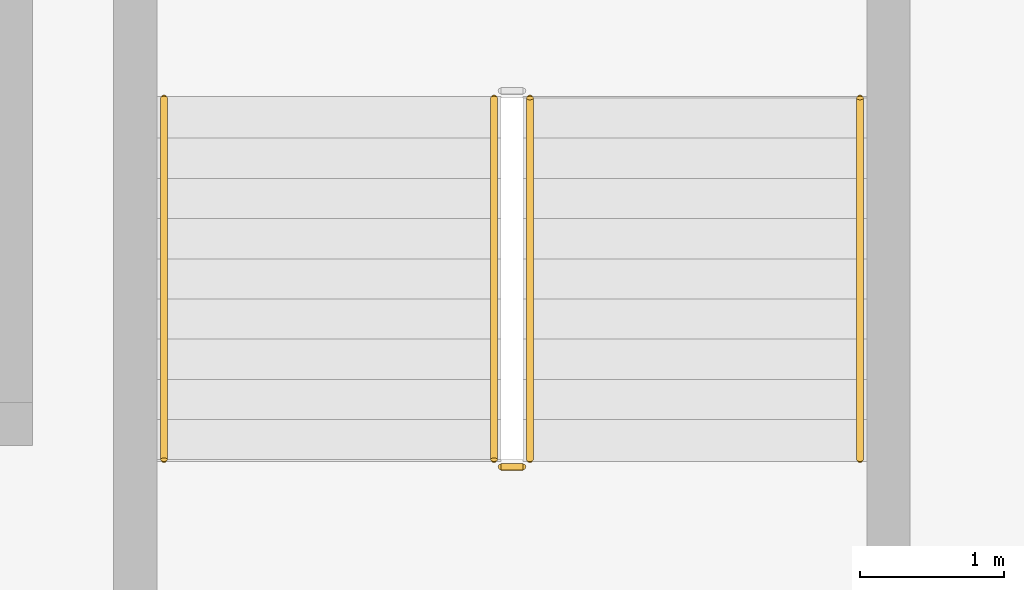
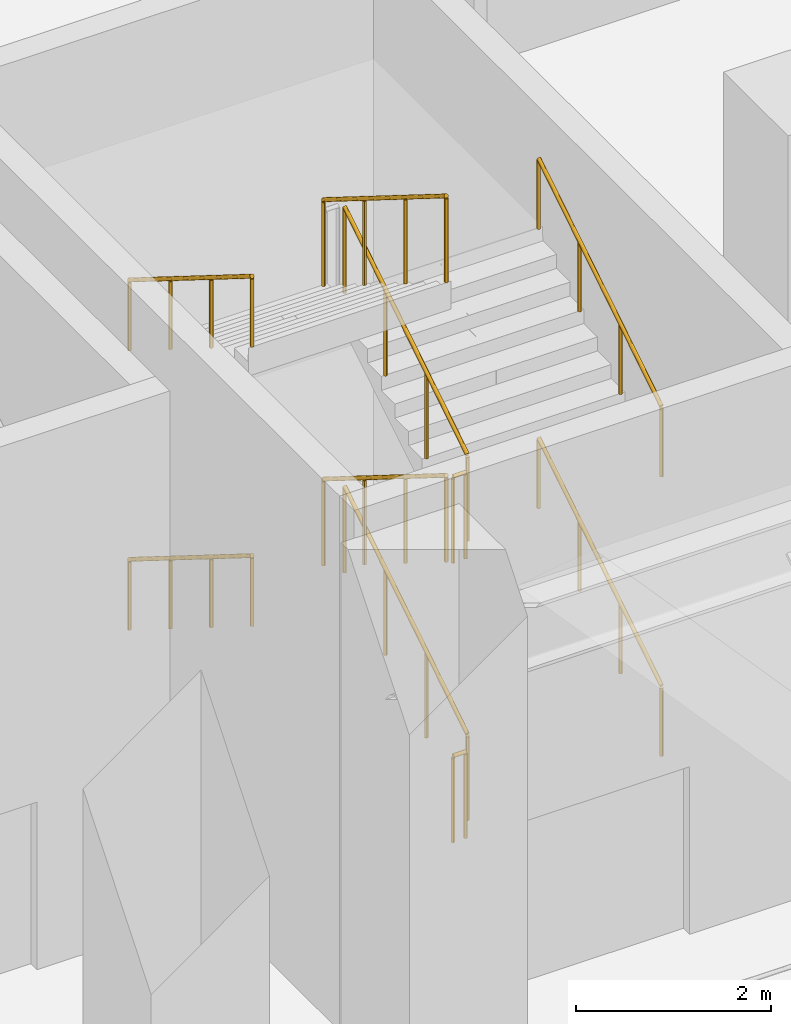
# One storey, part 38 of 41: 10 railings.
"""IFC4 building model written with IfcOpenShell, lengths in metres."""

from ifc_helpers import new_model, si_unit, direction, frame, origin, origin_2d, place, context, subcontext, project, spatial, circle, extrude, material, type_object, element, save


model = new_model("IFC4")

# Units and contexts
model_context = context("Model", 3, precision=1e-05, world=origin(), true_north=direction((0.0, 1.0)))
body_context = subcontext(model_context, "Body", "Model", "MODEL_VIEW")
ifc_project = project(units=[si_unit("LENGTHUNIT", "METRE"), si_unit("AREAUNIT", "SQUARE_METRE"), si_unit("VOLUMEUNIT", "CUBIC_METRE"), si_unit("PLANEANGLEUNIT", "RADIAN"), si_unit("MASSUNIT", "GRAM", prefix="KILO")], contexts=[model_context])

# Site, building, storey
site_placement = place(None, origin())
site = spatial("IfcSite", under=ifc_project, at=site_placement, CompositionType="ELEMENT")
building_placement = place(site_placement, origin())
building = spatial("IfcBuilding", under=site, at=building_placement, Name="Wharfspan Tower", CompositionType="ELEMENT")
storey_placement = place(building_placement, frame((0.0, 0.0, 8.0)))
storey = spatial("IfcBuildingStorey", under=building, at=storey_placement, Name="L01", CompositionType="ELEMENT", Elevation=8.0)

# Railings
ifc_material = material(Name="Steel S355J2", Category="steel")
railing_type_1 = type_object("IfcRailingType", Name="Podium guard 1100", PredefinedType="GUARDRAIL", material=ifc_material)
railing_1_placement = place(storey_placement, frame((74.817383, 30.100098, 0.175049)))
element("IfcRailing", 1, at=railing_1_placement, inside=storey, type_object=railing_type_1, Name="L01 PS5 stair guard 1", PredefinedType="GUARDRAIL", context=body_context, shape_type="SweptSolid", body=[
    extrude(circle(Radius=0.023926, at=origin_2d()), frame((0.0, 0.0, 1.076172), z_axis=(0.0, 0.848008, 0.529984), x_axis=(-1.0, 0.0, 0.0)), (0.0, 0.0, 1.0), 2.97168),
    extrude(circle(Radius=0.020996, at=origin_2d()), origin(), (0.0, 0.0, 1.0), 1.052002),
    extrude(circle(Radius=0.020996, at=origin_2d()), frame((0.0, 0.840088, 0.524902)), (0.0, 0.0, 1.0), 1.052002),
    extrude(circle(Radius=0.020996, at=origin_2d()), frame((0.0, 1.679932, 1.050049)), (0.0, 0.0, 1.0), 1.052002),
    extrude(circle(Radius=0.020996, at=origin_2d()), frame((0.0, 2.52002, 1.574951)), (0.0, 0.0, 1.0), 1.052002),
])
railing_2_placement = place(storey_placement, frame((74.567383, 32.620117, 1.925049)))
element("IfcRailing", 2, at=railing_2_placement, inside=storey, type_object=railing_type_1, Name="L01 PS5 stair guard 3", PredefinedType="GUARDRAIL", context=body_context, shape_type="SweptSolid", body=[
    extrude(circle(Radius=0.023926, at=origin_2d()), frame((0.0, 0.0, 1.076172), z_axis=(0.0, -0.848008, 0.529984), x_axis=(1.0, 0.0, 0.0)), (0.0, 0.0, 1.0), 2.97168),
    extrude(circle(Radius=0.020996, at=origin_2d()), origin(), (0.0, 0.0, 1.0), 1.052002),
    extrude(circle(Radius=0.020996, at=origin_2d()), frame((0.0, -0.840088, 0.524902)), (0.0, 0.0, 1.0), 1.052002),
    extrude(circle(Radius=0.020996, at=origin_2d()), frame((0.0, -1.679932, 1.050049)), (0.0, 0.0, 1.0), 1.052002),
    extrude(circle(Radius=0.020996, at=origin_2d()), frame((0.0, -2.52002, 1.574951)), (0.0, 0.0, 1.0), 1.052002),
])
railing_3_placement = place(storey_placement, frame((74.767578, 30.050049, 3.5)))
element("IfcRailing", 3, at=railing_3_placement, inside=storey, type_object=railing_type_1, Name="L01 PS5 stair guard 4", PredefinedType="GUARDRAIL", context=body_context, shape_type="SweptSolid", body=[
    extrude(circle(Radius=0.023926, at=origin_2d()), frame((0.0, 0.0, 1.076172), z_axis=(-1.0, 0.0, 0.0), x_axis=(0.0, -1.0, 0.0)), (0.0, 0.0, 1.0), 0.150146),
    extrude(circle(Radius=0.020996, at=origin_2d()), origin(), (0.0, 0.0, 1.0), 1.052002),
    extrude(circle(Radius=0.020996, at=origin_2d()), frame((-0.150146, 0.0, 0.0)), (0.0, 0.0, 1.0), 1.052002),
])
railing_4_placement = place(storey_placement, frame((74.817383, 30.100098, 3.675049)))
element("IfcRailing", 4, at=railing_4_placement, inside=storey, type_object=railing_type_1, Name="L01 PS5 stair guard 5", PredefinedType="GUARDRAIL", context=body_context, shape_type="SweptSolid", body=[
    extrude(circle(Radius=0.023926, at=origin_2d()), frame((0.0, 0.0, 1.076172), z_axis=(0.0, 0.848008, 0.529984), x_axis=(-1.0, 0.0, 0.0)), (0.0, 0.0, 1.0), 2.97168),
    extrude(circle(Radius=0.020996, at=origin_2d()), origin(), (0.0, 0.0, 1.0), 1.052002),
    extrude(circle(Radius=0.020996, at=origin_2d()), frame((0.0, 0.840088, 0.524902)), (0.0, 0.0, 1.0), 1.052002),
    extrude(circle(Radius=0.020996, at=origin_2d()), frame((0.0, 1.679932, 1.050049)), (0.0, 0.0, 1.0), 1.052002),
    extrude(circle(Radius=0.020996, at=origin_2d()), frame((0.0, 2.52002, 1.574951)), (0.0, 0.0, 1.0), 1.052002),
])
railing_5_placement = place(storey_placement, frame((74.567383, 32.620117, 5.425049)))
element("IfcRailing", 5, at=railing_5_placement, inside=storey, type_object=railing_type_1, Name="L01 PS5 stair guard 7", PredefinedType="GUARDRAIL", context=body_context, shape_type="SweptSolid", body=[
    extrude(circle(Radius=0.023926, at=origin_2d()), frame((0.0, 0.0, 1.076172), z_axis=(0.0, -0.848008, 0.529984), x_axis=(1.0, 0.0, 0.0)), (0.0, 0.0, 1.0), 2.97168),
    extrude(circle(Radius=0.020996, at=origin_2d()), origin(), (0.0, 0.0, 1.0), 1.052002),
    extrude(circle(Radius=0.020996, at=origin_2d()), frame((0.0, -0.840088, 0.524902)), (0.0, 0.0, 1.0), 1.052002),
    extrude(circle(Radius=0.020996, at=origin_2d()), frame((0.0, -1.679932, 1.050049)), (0.0, 0.0, 1.0), 1.052002),
    extrude(circle(Radius=0.020996, at=origin_2d()), frame((0.0, -2.52002, 1.574951)), (0.0, 0.0, 1.0), 1.052002),
])
railing_6_placement = place(storey_placement, frame((74.767578, 30.050049, 0.0)))
element("IfcRailing", 6, at=railing_6_placement, inside=storey, type_object=railing_type_1, Name="L01 PS5 stair guard 8", PredefinedType="GUARDRAIL", context=body_context, shape_type="SweptSolid", body=[
    extrude(circle(Radius=0.023926, at=origin_2d()), frame((0.0, 0.0, 1.076172), z_axis=(-1.0, 0.0, 0.0), x_axis=(0.0, -1.0, 0.0)), (0.0, 0.0, 1.0), 0.150146),
    extrude(circle(Radius=0.020996, at=origin_2d()), origin(), (0.0, 0.0, 1.0), 1.052002),
    extrude(circle(Radius=0.020996, at=origin_2d()), frame((-0.150146, 0.0, 0.0)), (0.0, 0.0, 1.0), 1.052002),
])
railing_type_2 = type_object("IfcRailingType", Name="Podium stair handrail 900", PredefinedType="HANDRAIL", material=ifc_material)
railing_7_placement = place(storey_placement, frame((77.117432, 30.100098, 0.175049)))
element("IfcRailing", 7, at=railing_7_placement, inside=storey, type_object=railing_type_2, Name="L01 PS5 stair handrail 1", PredefinedType="HANDRAIL", context=body_context, shape_type="SweptSolid", body=[
    extrude(circle(Radius=0.023926, at=origin_2d()), frame((0.0, 0.0, 0.875977), z_axis=(0.0, 0.848008, 0.529984), x_axis=(-1.0, 0.0, 0.0)), (0.0, 0.0, 1.0), 2.97168),
    extrude(circle(Radius=0.020996, at=origin_2d()), origin(), (0.0, 0.0, 1.0), 0.851807),
    extrude(circle(Radius=0.020996, at=origin_2d()), frame((0.0, 0.840088, 0.524902)), (0.0, 0.0, 1.0), 0.851807),
    extrude(circle(Radius=0.020996, at=origin_2d()), frame((0.0, 1.679932, 1.050049)), (0.0, 0.0, 1.0), 0.851807),
    extrude(circle(Radius=0.020996, at=origin_2d()), frame((0.0, 2.52002, 1.574951)), (0.0, 0.0, 1.0), 0.851807),
])
railing_8_placement = place(storey_placement, frame((72.267578, 32.620117, 1.925049)))
element("IfcRailing", 8, at=railing_8_placement, inside=storey, type_object=railing_type_2, Name="L01 PS5 stair handrail 2", PredefinedType="HANDRAIL", context=body_context, shape_type="SweptSolid", body=[
    extrude(circle(Radius=0.023926, at=origin_2d()), frame((0.0, 0.0, 0.875977), z_axis=(0.0, -0.848008, 0.529984), x_axis=(1.0, 0.0, 0.0)), (0.0, 0.0, 1.0), 2.97168),
    extrude(circle(Radius=0.020996, at=origin_2d()), origin(), (0.0, 0.0, 1.0), 0.851807),
    extrude(circle(Radius=0.020996, at=origin_2d()), frame((0.0, -0.840088, 0.524902)), (0.0, 0.0, 1.0), 0.851807),
    extrude(circle(Radius=0.020996, at=origin_2d()), frame((0.0, -1.679932, 1.050049)), (0.0, 0.0, 1.0), 0.851807),
    extrude(circle(Radius=0.020996, at=origin_2d()), frame((0.0, -2.52002, 1.574951)), (0.0, 0.0, 1.0), 0.851807),
])
railing_9_placement = place(storey_placement, frame((77.117432, 30.100098, 3.675049)))
element("IfcRailing", 9, at=railing_9_placement, inside=storey, type_object=railing_type_2, Name="L01 PS5 stair handrail 3", PredefinedType="HANDRAIL", context=body_context, shape_type="SweptSolid", body=[
    extrude(circle(Radius=0.023926, at=origin_2d()), frame((0.0, 0.0, 0.875977), z_axis=(0.0, 0.848008, 0.529984), x_axis=(-1.0, 0.0, 0.0)), (0.0, 0.0, 1.0), 2.97168),
    extrude(circle(Radius=0.020996, at=origin_2d()), origin(), (0.0, 0.0, 1.0), 0.851807),
    extrude(circle(Radius=0.020996, at=origin_2d()), frame((0.0, 0.840088, 0.524902)), (0.0, 0.0, 1.0), 0.851807),
    extrude(circle(Radius=0.020996, at=origin_2d()), frame((0.0, 1.679932, 1.050049)), (0.0, 0.0, 1.0), 0.851807),
    extrude(circle(Radius=0.020996, at=origin_2d()), frame((0.0, 2.52002, 1.574951)), (0.0, 0.0, 1.0), 0.851807),
])
railing_10_placement = place(storey_placement, frame((72.267578, 32.620117, 5.425049)))
element("IfcRailing", 10, at=railing_10_placement, inside=storey, type_object=railing_type_2, Name="L01 PS5 stair handrail 4", PredefinedType="HANDRAIL", context=body_context, shape_type="SweptSolid", body=[
    extrude(circle(Radius=0.023926, at=origin_2d()), frame((0.0, 0.0, 0.875977), z_axis=(0.0, -0.848008, 0.529984), x_axis=(1.0, 0.0, 0.0)), (0.0, 0.0, 1.0), 2.97168),
    extrude(circle(Radius=0.020996, at=origin_2d()), origin(), (0.0, 0.0, 1.0), 0.851807),
    extrude(circle(Radius=0.020996, at=origin_2d()), frame((0.0, -0.840088, 0.524902)), (0.0, 0.0, 1.0), 0.851807),
    extrude(circle(Radius=0.020996, at=origin_2d()), frame((0.0, -1.679932, 1.050049)), (0.0, 0.0, 1.0), 0.851807),
    extrude(circle(Radius=0.020996, at=origin_2d()), frame((0.0, -2.52002, 1.574951)), (0.0, 0.0, 1.0), 0.851807),
])

save(model, "model.ifc")
